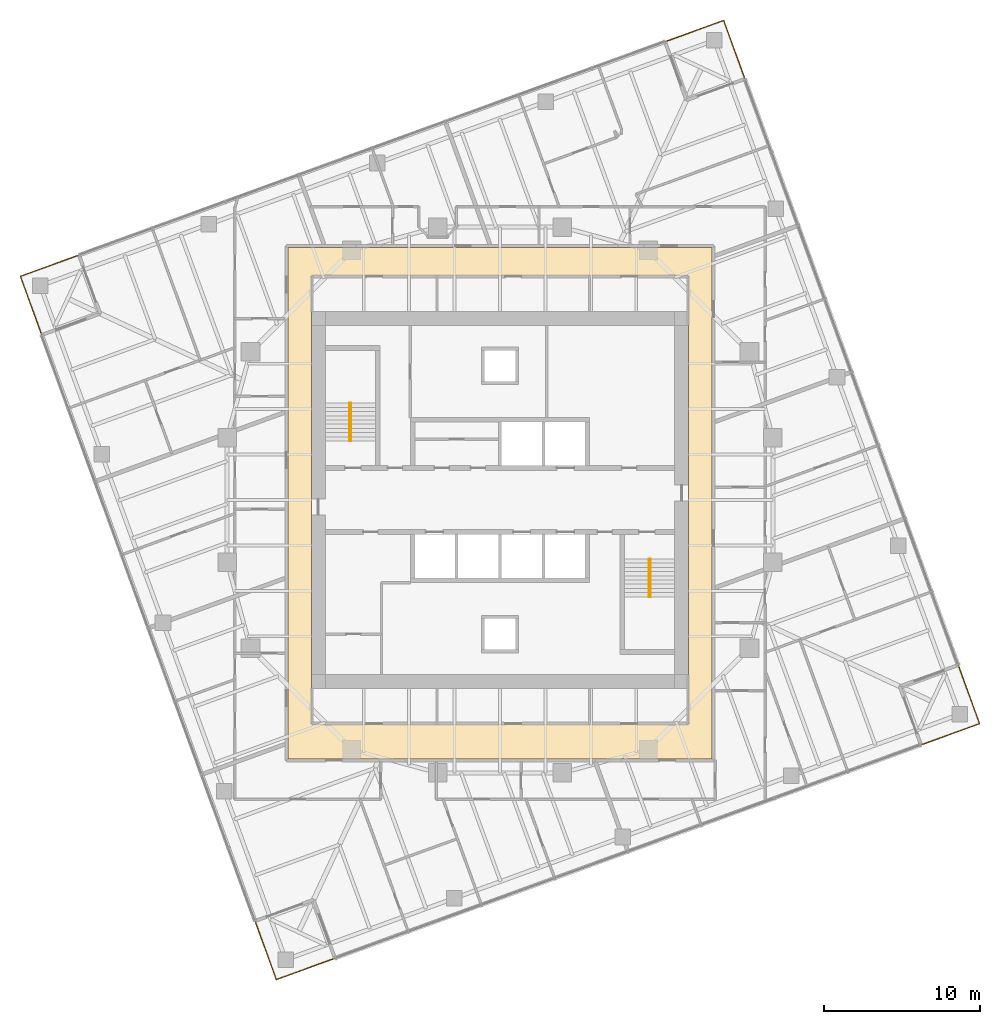
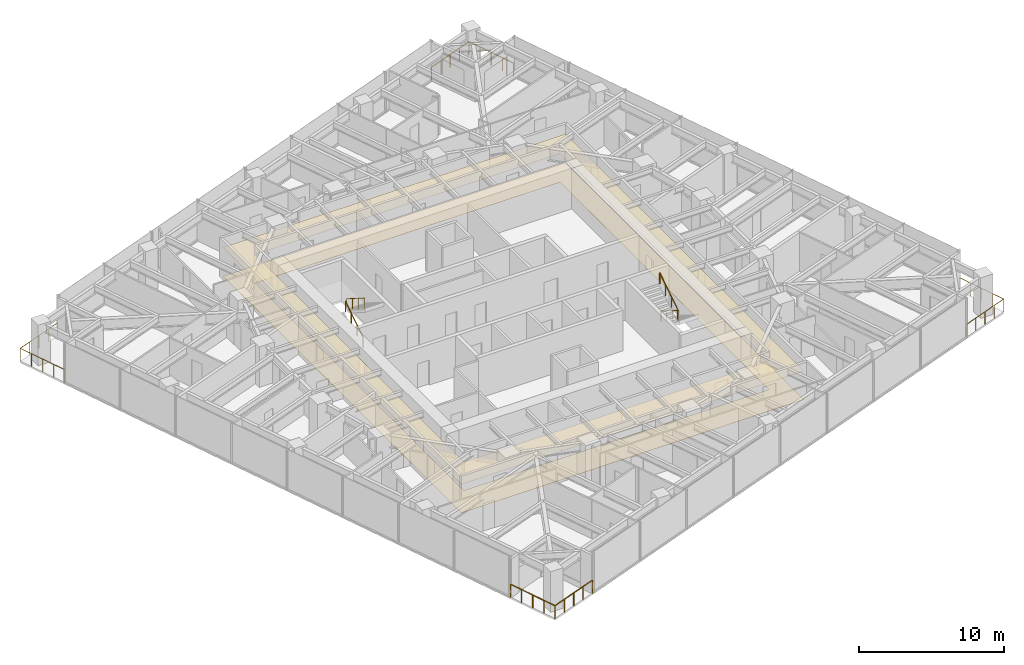
# One storey, part 13 of 13: 8 railings, 2 coverings, 2 elements without a shape of their own.
"""IFC4 building model written with IfcOpenShell, lengths in metres."""

from ifc_helpers import new_model, si_unit, direction, frame, origin, origin_2d, place, context, subcontext, project, spatial, polyline, circle, outline, extrude, material, layer, layer_set, type_object, element, aggregate, save


model = new_model("IFC4")

# Units and contexts
model_context = context("Model", 3, precision=1e-05, world=origin(), true_north=direction((0.0, 1.0)))
body_context = subcontext(model_context, "Body", "Model", "MODEL_VIEW")
ifc_project = project(units=[si_unit("LENGTHUNIT", "METRE"), si_unit("AREAUNIT", "SQUARE_METRE"), si_unit("VOLUMEUNIT", "CUBIC_METRE"), si_unit("PLANEANGLEUNIT", "RADIAN"), si_unit("MASSUNIT", "GRAM", prefix="KILO")], contexts=[model_context])

# Site, building, storey
site_placement = place(None, origin())
site = spatial("IfcSite", under=ifc_project, at=site_placement, CompositionType="ELEMENT")
building_placement = place(site_placement, origin())
building = spatial("IfcBuilding", under=site, at=building_placement, Name="Torsade Residences", CompositionType="ELEMENT")
storey_placement = place(building_placement, frame((0.0, 0.0, 150.60009765625)))
storey = spatial("IfcBuildingStorey", under=building, at=storey_placement, Name="L41", CompositionType="ELEMENT", Elevation=150.60009765625)

# Coverings
ifc_material_1 = material(Name="Nylon carpet tile on underlay", Category="textile")
ifc_layer_1 = layer(ifc_material_1, 0.010009765625)
ifc_layer_set_1 = layer_set([ifc_layer_1], Name="Nylon carpet tile on underlay")
covering_type_1 = type_object("IfcCoveringType", Name="CORRIDOR CARPET TILE 10", PredefinedType="FLOORING", material=ifc_layer_set_1)
covering_1_placement = place(storey_placement, origin())
element("IfcCovering", 1, at=covering_1_placement, inside=storey, type_object=covering_type_1, Name="Corridor carpet L41", PredefinedType="FLOORING", context=body_context, shape_type="SweptSolid", body=[
    extrude(outline(polyline([(26.39990234375, 46.199951171875), (26.39990234375, 13.39990234375), (53.60009765625, 13.39990234375), (53.60009765625, 46.199951171875), (26.39990234375, 46.199951171875)]), holes=[polyline([(52.10009765625, 44.35009765625), (27.89990234375, 44.35009765625), (27.89990234375, 15.64990234375), (52.10009765625, 15.64990234375), (52.10009765625, 44.35009765625)])]), origin(), (0.0, 0.0, 1.0), 0.010009765625),
])
ifc_material_2 = material(Name="Plasterboard on suspended steel grid", Category="steel")
ifc_layer_2 = layer(ifc_material_2, 0.012939453125)
ifc_layer_set_2 = layer_set([ifc_layer_2], Name="Plasterboard on suspended steel grid")
covering_type_2 = type_object("IfcCoveringType", Name="CORRIDOR SUSPENDED CEILING 13", PredefinedType="CEILING", material=ifc_layer_set_2)
covering_2_placement = place(storey_placement, frame((0.0, 0.0, 2.39990234375)))
element("IfcCovering", 2, at=covering_2_placement, inside=storey, type_object=covering_type_2, Name="Corridor ceiling L41", PredefinedType="CEILING", context=body_context, shape_type="SweptSolid", body=[
    extrude(outline(polyline([(26.39990234375, 46.199951171875), (26.39990234375, 13.39990234375), (53.60009765625, 13.39990234375), (53.60009765625, 46.199951171875), (26.39990234375, 46.199951171875)]), holes=[polyline([(52.10009765625, 44.35009765625), (27.89990234375, 44.35009765625), (27.89990234375, 15.64990234375), (52.10009765625, 15.64990234375), (52.10009765625, 44.35009765625)])]), origin(), (0.0, 0.0, 1.0), 0.012939453125),
])

# Stair, railings
ifc_material_3 = material(Name="Precast concrete 40 MPa", Category="concrete")
stair_type = type_object("IfcStairType", Name="HALF-TURN FIRE STAIR 1500x3400", PredefinedType="HALF_TURN_STAIR", material=ifc_material_3)
stair_1_placement = place(storey_placement, origin())
stair_1 = element("IfcStair", 3, at=stair_1_placement, inside=storey, type_object=stair_type, Name="Stair ST1 L41", PredefinedType="HALF_TURN_STAIR")
ifc_material_4 = material(Name="Steel handrail", Category="steel")
railing_type_1 = type_object("IfcRailingType", Name="STAIR HANDRAIL 900", PredefinedType="HANDRAIL", material=ifc_material_4)
railing_1_placement = place(storey_placement, frame((30.35009765625, 33.780029296875, 0.169921875)))
railing_1 = element("IfcRailing", 4, at=railing_1_placement, type_object=railing_type_1, Name="Handrail ST1 flight 1 L41", PredefinedType="HANDRAIL", context=body_context, shape_type="SweptSolid", body=[
    extrude(circle(Radius=0.02392578125, at=origin_2d()), frame((0.0, 0.0, 0.8759765625), z_axis=(0.0, 0.846221481393, 0.532831309544), x_axis=(-1.0, 0.0, 0.0)), (0.0, 0.0, 1.0), 2.87158203125),
    extrude(circle(Radius=0.02099609375, at=origin_2d()), origin(), (0.0, 0.0, 1.0), 0.851806640625),
    extrude(circle(Radius=0.02099609375, at=origin_2d()), frame((0.0, 0.81005859375, 0.510009765625)), (0.0, 0.0, 1.0), 0.851806640625),
    extrude(circle(Radius=0.02099609375, at=origin_2d()), frame((0.0, 1.619873046875, 1.02001953125)), (0.0, 0.0, 1.0), 0.851806640625),
    extrude(circle(Radius=0.02099609375, at=origin_2d()), frame((0.0, 2.429931640625, 1.530029296875)), (0.0, 0.0, 1.0), 0.851806640625),
])
railing_2_placement = place(storey_placement, frame((30.449951171875, 36.2099609375, 1.869873046875)))
railing_2 = element("IfcRailing", 5, at=railing_2_placement, type_object=railing_type_1, Name="Handrail ST1 flight 2 L41", PredefinedType="HANDRAIL", context=body_context, shape_type="SweptSolid", body=[
    extrude(circle(Radius=0.02392578125, at=origin_2d()), frame((0.0, 0.0, 0.8759765625), z_axis=(0.0, -0.846221481393, 0.532831309544), x_axis=(1.0, 0.0, 0.0)), (0.0, 0.0, 1.0), 2.87158203125),
    extrude(circle(Radius=0.02099609375, at=origin_2d()), origin(), (0.0, 0.0, 1.0), 0.851806640625),
    extrude(circle(Radius=0.02099609375, at=origin_2d()), frame((0.0, -0.81005859375, 0.510009765625)), (0.0, 0.0, 1.0), 0.851806640625),
    extrude(circle(Radius=0.02099609375, at=origin_2d()), frame((0.0, -1.619873046875, 1.02001953125)), (0.0, 0.0, 1.0), 0.851806640625),
    extrude(circle(Radius=0.02099609375, at=origin_2d()), frame((0.0, -2.429931640625, 1.530029296875)), (0.0, 0.0, 1.0), 0.851806640625),
])
aggregate(stair_1, [railing_1, railing_2])

stair_2_placement = place(storey_placement, origin())
stair_2 = element("IfcStair", 6, at=stair_2_placement, inside=storey, type_object=stair_type, Name="Stair ST2 L41", PredefinedType="HALF_TURN_STAIR")
railing_3_placement = place(storey_placement, frame((49.64990234375, 26.219970703125, 0.169921875)))
railing_3 = element("IfcRailing", 7, at=railing_3_placement, type_object=railing_type_1, Name="Handrail ST2 flight 1 L41", PredefinedType="HANDRAIL", context=body_context, shape_type="SweptSolid", body=[
    extrude(circle(Radius=0.02392578125, at=origin_2d()), frame((0.0, 0.0, 0.8759765625), z_axis=(0.0, -0.846221481393, 0.532831309544), x_axis=(1.0, 0.0, 0.0)), (0.0, 0.0, 1.0), 2.87158203125),
    extrude(circle(Radius=0.02099609375, at=origin_2d()), origin(), (0.0, 0.0, 1.0), 0.851806640625),
    extrude(circle(Radius=0.02099609375, at=origin_2d()), frame((0.0, -0.81005859375, 0.510009765625)), (0.0, 0.0, 1.0), 0.851806640625),
    extrude(circle(Radius=0.02099609375, at=origin_2d()), frame((0.0, -1.619873046875, 1.02001953125)), (0.0, 0.0, 1.0), 0.851806640625),
    extrude(circle(Radius=0.02099609375, at=origin_2d()), frame((0.0, -2.429931640625, 1.530029296875)), (0.0, 0.0, 1.0), 0.851806640625),
])
railing_4_placement = place(storey_placement, frame((49.550048828125, 23.7900390625, 1.869873046875)))
railing_4 = element("IfcRailing", 8, at=railing_4_placement, type_object=railing_type_1, Name="Handrail ST2 flight 2 L41", PredefinedType="HANDRAIL", context=body_context, shape_type="SweptSolid", body=[
    extrude(circle(Radius=0.02392578125, at=origin_2d()), frame((0.0, 0.0, 0.8759765625), z_axis=(0.0, 0.846221481393, 0.532831309544), x_axis=(-1.0, 0.0, 0.0)), (0.0, 0.0, 1.0), 2.87158203125),
    extrude(circle(Radius=0.02099609375, at=origin_2d()), origin(), (0.0, 0.0, 1.0), 0.851806640625),
    extrude(circle(Radius=0.02099609375, at=origin_2d()), frame((0.0, 0.81005859375, 0.510009765625)), (0.0, 0.0, 1.0), 0.851806640625),
    extrude(circle(Radius=0.02099609375, at=origin_2d()), frame((0.0, 1.619873046875, 1.02001953125)), (0.0, 0.0, 1.0), 0.851806640625),
    extrude(circle(Radius=0.02099609375, at=origin_2d()), frame((0.0, 2.429931640625, 1.530029296875)), (0.0, 0.0, 1.0), 0.851806640625),
])
aggregate(stair_2, [railing_3, railing_4])

# Railings
ifc_material_5 = material(Name="Laminated glass balustrade", Category="glass")
railing_type_2 = type_object("IfcRailingType", Name="TERRACE GLASS BALUSTRADE 1100", PredefinedType="BALUSTRADE", material=ifc_material_5)
railing_5_placement = place(storey_placement, frame((67.00244140625, 14.287841796875, 0.0)))
element("IfcRailing", 9, at=railing_5_placement, inside=storey, type_object=railing_type_2, Name="Terrace balustrade SE L41", PredefinedType="BALUSTRADE", context=body_context, shape_type="SweptSolid", body=[
    extrude(circle(Radius=0.02392578125, at=origin_2d()), frame((0.0, 0.0, 1.076171875), z_axis=(0.939698932726, 0.342002800914, 0.0), x_axis=(-0.342002800914, 0.939698932726, 0.0)), (0.0, 0.0, 1.0), 3.999755859375),
    extrude(circle(Radius=0.02392578125, at=origin_2d()), frame((3.758544921875, 1.367919921875, 1.076171875), z_axis=(-0.341983185197, 0.939706071622, 0.0), x_axis=(-0.939706071622, -0.341983185197, 0.0)), (0.0, 0.0, 1.0), 4.0),
    extrude(circle(Radius=0.02099609375, at=origin_2d()), origin(), (0.0, 0.0, 1.0), 1.052001953125),
    extrude(circle(Radius=0.02099609375, at=origin_2d()), frame((0.939697265625, 0.342041015625, 0.0)), (0.0, 0.0, 1.0), 1.052001953125),
    extrude(circle(Radius=0.02099609375, at=origin_2d()), frame((1.87939453125, 0.68408203125, 0.0)), (0.0, 0.0, 1.0), 1.052001953125),
    extrude(circle(Radius=0.02099609375, at=origin_2d()), frame((2.81884765625, 1.02587890625, 0.0)), (0.0, 0.0, 1.0), 1.052001953125),
    extrude(circle(Radius=0.02099609375, at=origin_2d()), frame((3.758544921875, 1.367919921875, 0.0)), (0.0, 0.0, 1.0), 1.052001953125),
    extrude(circle(Radius=0.02099609375, at=origin_2d()), frame((3.41650390625, 2.3076171875, 0.0)), (0.0, 0.0, 1.0), 1.052001953125),
    extrude(circle(Radius=0.02099609375, at=origin_2d()), frame((3.07470703125, 3.247314453125, 0.0)), (0.0, 0.0, 1.0), 1.052001953125),
    extrude(circle(Radius=0.02099609375, at=origin_2d()), frame((2.732666015625, 4.18701171875, 0.0)), (0.0, 0.0, 1.0), 1.052001953125),
    extrude(circle(Radius=0.02099609375, at=origin_2d()), frame((2.390625, 5.126708984375, 0.0)), (0.0, 0.0, 1.0), 1.052001953125),
])
railing_6_placement = place(storey_placement, frame((55.712158203125, 57.00244140625, 0.0)))
element("IfcRailing", 10, at=railing_6_placement, inside=storey, type_object=railing_type_2, Name="Terrace balustrade NE L41", PredefinedType="BALUSTRADE", context=body_context, shape_type="SweptSolid", body=[
    extrude(circle(Radius=0.02392578125, at=origin_2d()), frame((0.0, 0.0, 1.076171875), z_axis=(-0.342002800914, 0.939698932726, 0.0), x_axis=(-0.939698932726, -0.342002800914, 0.0)), (0.0, 0.0, 1.0), 3.999755859375),
    extrude(circle(Radius=0.02392578125, at=origin_2d()), frame((-1.367919921875, 3.758544921875, 1.076171875), z_axis=(-0.939706071622, -0.341983185197, 0.0), x_axis=(0.341983185197, -0.939706071622, 0.0)), (0.0, 0.0, 1.0), 4.0),
    extrude(circle(Radius=0.02099609375, at=origin_2d()), origin(), (0.0, 0.0, 1.0), 1.052001953125),
    extrude(circle(Radius=0.02099609375, at=origin_2d()), frame((-0.342041015625, 0.939697265625, 0.0)), (0.0, 0.0, 1.0), 1.052001953125),
    extrude(circle(Radius=0.02099609375, at=origin_2d()), frame((-0.68408203125, 1.87939453125, 0.0)), (0.0, 0.0, 1.0), 1.052001953125),
    extrude(circle(Radius=0.02099609375, at=origin_2d()), frame((-1.02587890625, 2.81884765625, 0.0)), (0.0, 0.0, 1.0), 1.052001953125),
    extrude(circle(Radius=0.02099609375, at=origin_2d()), frame((-1.367919921875, 3.758544921875, 0.0)), (0.0, 0.0, 1.0), 1.052001953125),
    extrude(circle(Radius=0.02099609375, at=origin_2d()), frame((-2.3076171875, 3.41650390625, 0.0)), (0.0, 0.0, 1.0), 1.052001953125),
    extrude(circle(Radius=0.02099609375, at=origin_2d()), frame((-3.247314453125, 3.07470703125, 0.0)), (0.0, 0.0, 1.0), 1.052001953125),
    extrude(circle(Radius=0.02099609375, at=origin_2d()), frame((-4.18701171875, 2.732666015625, 0.0)), (0.0, 0.0, 1.0), 1.052001953125),
    extrude(circle(Radius=0.02099609375, at=origin_2d()), frame((-5.126708984375, 2.390625, 0.0)), (0.0, 0.0, 1.0), 1.052001953125),
])
railing_7_placement = place(storey_placement, frame((12.99755859375, 45.712158203125, 0.0)))
element("IfcRailing", 11, at=railing_7_placement, inside=storey, type_object=railing_type_2, Name="Terrace balustrade NW L41", PredefinedType="BALUSTRADE", context=body_context, shape_type="SweptSolid", body=[
    extrude(circle(Radius=0.02392578125, at=origin_2d()), frame((0.0, 0.0, 1.076171875), z_axis=(-0.939698932726, -0.342002800914, 0.0), x_axis=(0.342002800914, -0.939698932726, 0.0)), (0.0, 0.0, 1.0), 3.999755859375),
    extrude(circle(Radius=0.02392578125, at=origin_2d()), frame((-3.758544921875, -1.367919921875, 1.076171875), z_axis=(0.341983185197, -0.939706071622, 0.0), x_axis=(0.939706071622, 0.341983185197, 0.0)), (0.0, 0.0, 1.0), 4.0),
    extrude(circle(Radius=0.02099609375, at=origin_2d()), origin(), (0.0, 0.0, 1.0), 1.052001953125),
    extrude(circle(Radius=0.02099609375, at=origin_2d()), frame((-0.939697265625, -0.342041015625, 0.0)), (0.0, 0.0, 1.0), 1.052001953125),
    extrude(circle(Radius=0.02099609375, at=origin_2d()), frame((-1.87939453125, -0.68408203125, 0.0)), (0.0, 0.0, 1.0), 1.052001953125),
    extrude(circle(Radius=0.02099609375, at=origin_2d()), frame((-2.81884765625, -1.02587890625, 0.0)), (0.0, 0.0, 1.0), 1.052001953125),
    extrude(circle(Radius=0.02099609375, at=origin_2d()), frame((-3.758544921875, -1.367919921875, 0.0)), (0.0, 0.0, 1.0), 1.052001953125),
    extrude(circle(Radius=0.02099609375, at=origin_2d()), frame((-3.41650390625, -2.3076171875, 0.0)), (0.0, 0.0, 1.0), 1.052001953125),
    extrude(circle(Radius=0.02099609375, at=origin_2d()), frame((-3.07470703125, -3.247314453125, 0.0)), (0.0, 0.0, 1.0), 1.052001953125),
    extrude(circle(Radius=0.02099609375, at=origin_2d()), frame((-2.732666015625, -4.18701171875, 0.0)), (0.0, 0.0, 1.0), 1.052001953125),
    extrude(circle(Radius=0.02099609375, at=origin_2d()), frame((-2.390625, -5.126708984375, 0.0)), (0.0, 0.0, 1.0), 1.052001953125),
])
railing_8_placement = place(storey_placement, frame((24.287841796875, 2.99755859375, 0.0)))
element("IfcRailing", 12, at=railing_8_placement, inside=storey, type_object=railing_type_2, Name="Terrace balustrade SW L41", PredefinedType="BALUSTRADE", context=body_context, shape_type="SweptSolid", body=[
    extrude(circle(Radius=0.02392578125, at=origin_2d()), frame((0.0, 0.0, 1.076171875), z_axis=(0.342002800914, -0.939698932726, 0.0), x_axis=(0.939698932726, 0.342002800914, 0.0)), (0.0, 0.0, 1.0), 3.999755859375),
    extrude(circle(Radius=0.02392578125, at=origin_2d()), frame((1.367919921875, -3.758544921875, 1.076171875), z_axis=(0.939706071622, 0.341983185197, 0.0), x_axis=(-0.341983185197, 0.939706071622, 0.0)), (0.0, 0.0, 1.0), 4.0),
    extrude(circle(Radius=0.02099609375, at=origin_2d()), origin(), (0.0, 0.0, 1.0), 1.052001953125),
    extrude(circle(Radius=0.02099609375, at=origin_2d()), frame((0.342041015625, -0.939697265625, 0.0)), (0.0, 0.0, 1.0), 1.052001953125),
    extrude(circle(Radius=0.02099609375, at=origin_2d()), frame((0.68408203125, -1.87939453125, 0.0)), (0.0, 0.0, 1.0), 1.052001953125),
    extrude(circle(Radius=0.02099609375, at=origin_2d()), frame((1.02587890625, -2.81884765625, 0.0)), (0.0, 0.0, 1.0), 1.052001953125),
    extrude(circle(Radius=0.02099609375, at=origin_2d()), frame((1.367919921875, -3.758544921875, 0.0)), (0.0, 0.0, 1.0), 1.052001953125),
    extrude(circle(Radius=0.02099609375, at=origin_2d()), frame((2.3076171875, -3.41650390625, 0.0)), (0.0, 0.0, 1.0), 1.052001953125),
    extrude(circle(Radius=0.02099609375, at=origin_2d()), frame((3.247314453125, -3.07470703125, 0.0)), (0.0, 0.0, 1.0), 1.052001953125),
    extrude(circle(Radius=0.02099609375, at=origin_2d()), frame((4.18701171875, -2.732666015625, 0.0)), (0.0, 0.0, 1.0), 1.052001953125),
    extrude(circle(Radius=0.02099609375, at=origin_2d()), frame((5.126708984375, -2.390625, 0.0)), (0.0, 0.0, 1.0), 1.052001953125),
])

save(model, "model.ifc")
